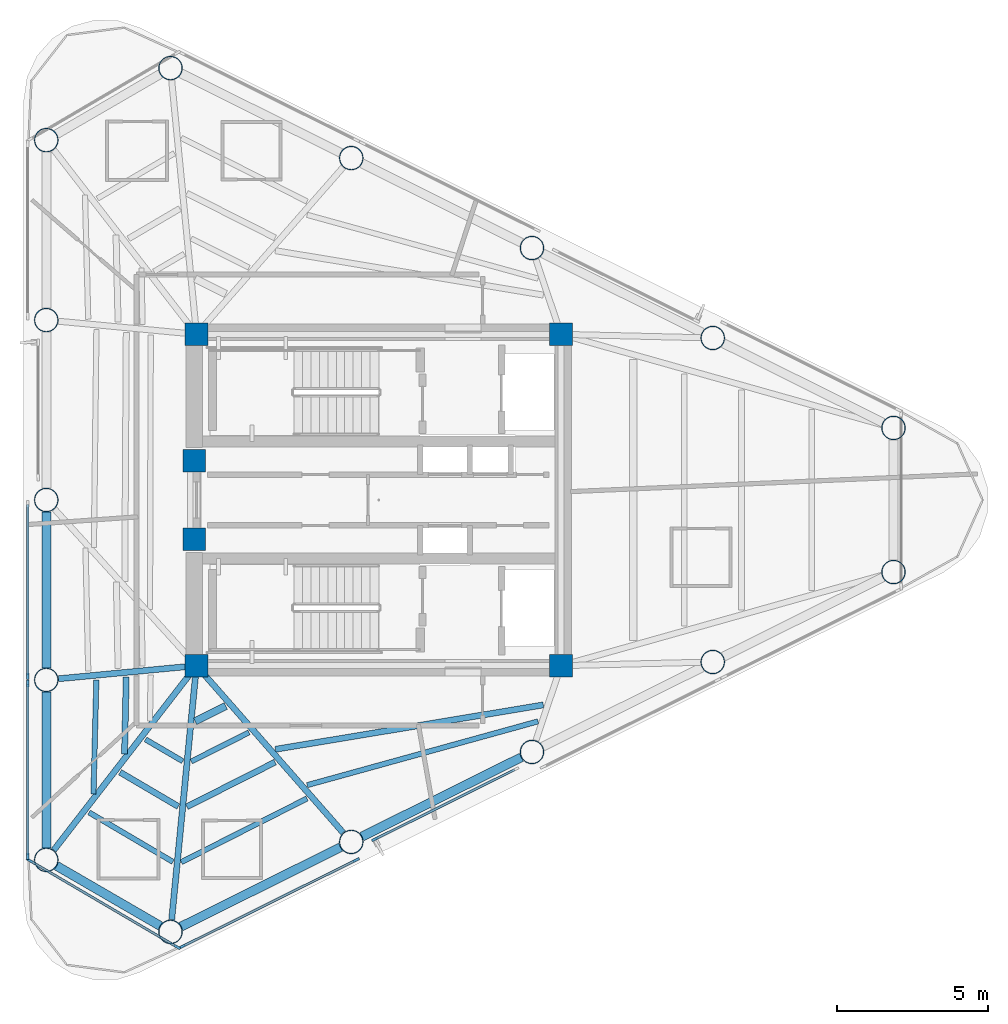
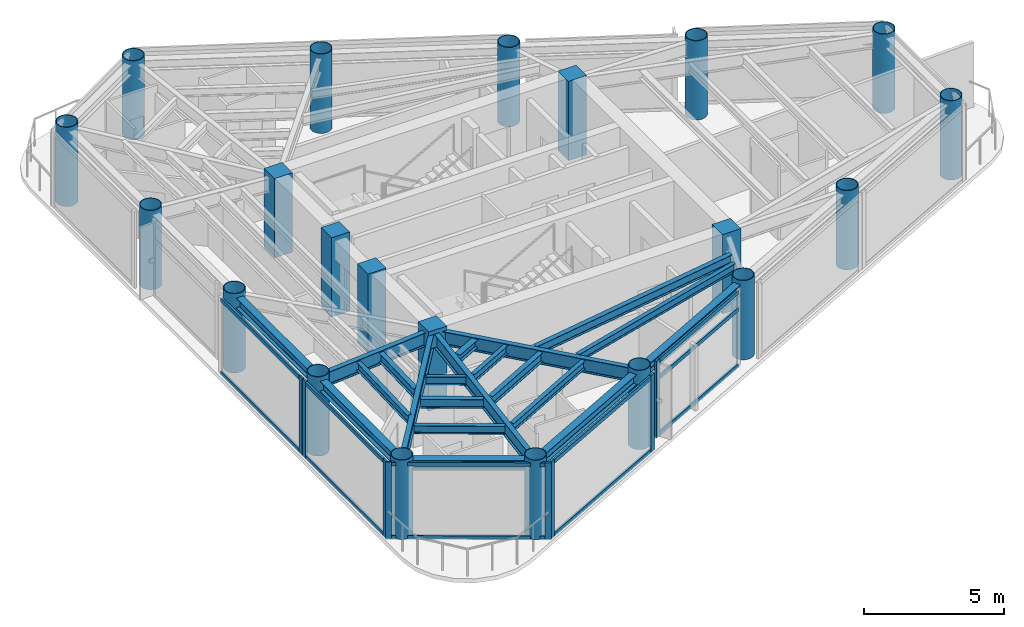
# One storey, part 1 of 10: 21 columns, 20 beams, 19 members, 5 elements without a shape of their own.
"""IFC4 building model written with IfcOpenShell, lengths in metres."""

from ifc_helpers import new_model, si_unit, direction, frame, origin, origin_2d, place, context, subcontext, project, spatial, rectangle, hollow_circle, i_section, extrude, source, transform, mapped, material, layer, layer_set, material_profile, profile_set, type_object, element, aggregate, save


model = new_model("IFC4")

# Units and contexts
model_context = context("Model", 3, precision=1e-05, world=origin(), true_north=direction((0.0, 1.0)))
body_context = subcontext(model_context, "Body", "Model", "MODEL_VIEW")
ifc_project = project(units=[si_unit("LENGTHUNIT", "METRE"), si_unit("AREAUNIT", "SQUARE_METRE"), si_unit("VOLUMEUNIT", "CUBIC_METRE"), si_unit("PLANEANGLEUNIT", "RADIAN"), si_unit("MASSUNIT", "GRAM", prefix="KILO")], contexts=[model_context])

# Site, building, storey
site_placement = place(None, origin())
site = spatial("IfcSite", under=ifc_project, at=site_placement, CompositionType="ELEMENT")
building_placement = place(site_placement, origin())
building = spatial("IfcBuilding", under=site, at=building_placement, Name="Yunling Apex Tower", CompositionType="ELEMENT")
storey_placement = place(building_placement, frame((0.0, 0.0, 303.64990234375)))
storey = spatial("IfcBuildingStorey", under=building, at=storey_placement, Name="L74", CompositionType="ELEMENT", Elevation=303.64990234375)

# Columns
ifc_material_1 = material(Name="Concrete C50", Category="concrete")
ifc_material_profile_1 = material_profile(ifc_material_1, rectangle(XDim=0.75, YDim=0.75, at=origin_2d()))
ifc_profile_set_1 = profile_set([ifc_material_profile_1], Name="Concrete C50")
column_type_1 = type_object("IfcColumnType", Name="PC-SRC-4", PredefinedType="COLUMN", material=ifc_profile_set_1)
shared_shape_1 = source(origin(), body_context, "Body", "SweptSolid", [
    extrude(rectangle(XDim=0.75, YDim=0.75, at=origin_2d()), origin(), (0.0, 0.0, 1.0), 3.4501953125),
])
for number, where, z_axis, x_axis, name in (
    (1, (-6.050048828125, -5.5, 0.0), (0.0, 0.0, 1.0), (1.0, 0.0, 0.0), "L74 Core Spine Column CC-SW"),
    (2, (6.050048828125, -5.5, 0.0), (0.0, 0.0, 1.0), (1.0, 0.0, 0.0), "L74 Core Spine Column CC-SE"),
    (3, (6.050048828125, 5.5, 0.0), (0.0, 0.0, 1.0), (1.0, 0.0, 0.0), "L74 Core Spine Column CC-NE"),
    (4, (-6.050048828125, 5.5, 0.0), (0.0, 0.0, 1.0), (1.0, 0.0, 0.0), "L74 Core Spine Column CC-NW"),
    (5, (-6.125, -1.300048828125, 0.0), (0.0, 0.0, 1.0), (1.0, 0.0, 0.0), "L74 Core West Portal Jamb Column S"),
    (6, (-6.125, 1.300048828125, 0.0), (0.0, 0.0, 1.0), (1.0, 0.0, 0.0), "L74 Core West Portal Jamb Column N"),
):
    element("IfcColumn", number, at=place(storey_placement, frame(where, z_axis=z_axis, x_axis=x_axis)), inside=storey, type_object=column_type_1, Name=name, PredefinedType="COLUMN", context=body_context, shape_type="MappedRepresentation", body=[
        mapped(shared_shape_1, transform((0.0, 0.0, 0.0), scale=1.0)),
    ])
ifc_material_2 = material(Name="Steel Q355B", Category="steel")
ifc_material_profile_2 = material_profile(ifc_material_2, hollow_circle(Radius=0.39990234375, WallThickness=0.028076171875, at=origin_2d()))
ifc_profile_set_2 = profile_set([ifc_material_profile_2], Name="Steel Q355B")
column_type_2 = type_object("IfcColumnType", Name="MC-CFST-7", PredefinedType="COLUMN", material=ifc_profile_set_2)
shared_shape_2 = source(origin(), body_context, "Body", "SweptSolid", [
    extrude(hollow_circle(Radius=0.39990234375, WallThickness=0.028076171875, at=origin_2d()), origin(), (0.0, 0.0, 1.0), 3.4501953125),
])
for number, where, z_axis, x_axis, name in (
    (7, (-6.9140625, -14.336669921875, 0.0), (0.0, 0.0, 1.0), (1.0, 0.0, 0.0), "L74 Perimeter CFST Mega-Column P01"),
    (8, (-0.913818359375, -11.350341796875, 0.0), (0.0, 0.0, 1.0), (1.0, 0.0, 0.0), "L74 Perimeter CFST Mega-Column P02"),
    (9, (5.086181640625, -8.364013671875, 0.0), (0.0, 0.0, 1.0), (1.0, 0.0, 0.0), "L74 Perimeter CFST Mega-Column P03"),
    (10, (11.08642578125, -5.377685546875, 0.0), (0.0, 0.0, 1.0), (1.0, 0.0, 0.0), "L74 Perimeter CFST Mega-Column P04"),
    (11, (17.086669921875, -2.3916015625, 0.0), (0.0, 0.0, 1.0), (1.0, 0.0, 0.0), "L74 Perimeter CFST Mega-Column P05"),
    (12, (17.086669921875, 2.3916015625, 0.0), (0.0, 0.0, 1.0), (1.0, 0.0, 0.0), "L74 Perimeter CFST Mega-Column P06"),
    (13, (11.08642578125, 5.377685546875, 0.0), (0.0, 0.0, 1.0), (1.0, 0.0, 0.0), "L74 Perimeter CFST Mega-Column P07"),
    (14, (5.086181640625, 8.364013671875, 0.0), (0.0, 0.0, 1.0), (1.0, 0.0, 0.0), "L74 Perimeter CFST Mega-Column P08"),
    (15, (-0.913818359375, 11.350341796875, 0.0), (0.0, 0.0, 1.0), (1.0, 0.0, 0.0), "L74 Perimeter CFST Mega-Column P09"),
    (16, (-6.9140625, 14.336669921875, 0.0), (0.0, 0.0, 1.0), (1.0, 0.0, 0.0), "L74 Perimeter CFST Mega-Column P10"),
    (17, (-11.037353515625, 11.9453125, 0.0), (0.0, 0.0, 1.0), (1.0, 0.0, 0.0), "L74 Perimeter CFST Mega-Column P11"),
    (18, (-11.037353515625, 5.97265625, 0.0), (0.0, 0.0, 1.0), (1.0, 0.0, 0.0), "L74 Perimeter CFST Mega-Column P12"),
    (19, (-11.037353515625, 0.0, 0.0), (0.0, 0.0, 1.0), (1.0, 0.0, 0.0), "L74 Perimeter CFST Mega-Column P13"),
    (20, (-11.037353515625, -5.97265625, 0.0), (0.0, 0.0, 1.0), (1.0, 0.0, 0.0), "L74 Perimeter CFST Mega-Column P14"),
    (21, (-11.037353515625, -11.9453125, 0.0), (0.0, 0.0, 1.0), (1.0, 0.0, 0.0), "L74 Perimeter CFST Mega-Column P15"),
):
    element("IfcColumn", number, at=place(storey_placement, frame(where, z_axis=z_axis, x_axis=x_axis)), inside=storey, type_object=column_type_2, Name=name, PredefinedType="COLUMN", context=body_context, shape_type="MappedRepresentation", body=[
        mapped(shared_shape_2, transform((0.0, 0.0, 0.0), scale=1.0)),
    ])

# Beams
ifc_material_profile_3 = material_profile(ifc_material_2, i_section(OverallWidth=0.300048828125, OverallDepth=0.43994140625, WebThickness=0.010986328125, FlangeThickness=0.01806640625, FilletRadius=0.02197265625, at=origin_2d()))
ifc_profile_set_3 = profile_set([ifc_material_profile_3], Name="Steel Q355B")
beam_type_1 = type_object("IfcBeamType", Name="BP-SPN-3", PredefinedType="SPANDREL", material=ifc_profile_set_3)
shared_shape_3 = source(origin(), body_context, "Body", "SweptSolid", [
    extrude(i_section(OverallWidth=0.300048828125, OverallDepth=0.43994140625, WebThickness=0.010986328125, FlangeThickness=0.01806640625, FilletRadius=0.02197265625, at=origin_2d()), origin(), (0.0, 0.0, 1.0), 5.914306640625),
])
for number, where, z_axis, x_axis, name in (
    (22, (-6.561279296875, -14.1611328125, 3.050048828125), (0.895243044542, 0.445578153861, 0.0), (-0.445578153861, 0.895243044542, 0.0), "L74 Perimeter Spandrel Beam 1"),
    (23, (-0.561279296875, -11.1748046875, 3.050048828125), (0.895267705164, 0.445528602999, 0.0), (-0.445528602999, 0.895267705164, 0.0), "L74 Perimeter Spandrel Beam 2"),
):
    element("IfcBeam", number, at=place(storey_placement, frame(where, z_axis=z_axis, x_axis=x_axis)), inside=storey, type_object=beam_type_1, Name=name, PredefinedType="SPANDREL", context=body_context, shape_type="MappedRepresentation", body=[
        mapped(shared_shape_3, transform((0.0, 0.0, 0.0), scale=1.0)),
    ])
shared_shape_4 = source(origin(), body_context, "Body", "SweptSolid", [
    extrude(i_section(OverallWidth=0.300048828125, OverallDepth=0.43994140625, WebThickness=0.010986328125, FlangeThickness=0.01806640625, FilletRadius=0.02197265625, at=origin_2d()), origin(), (0.0, 0.0, 1.0), 3.978515625),
])
beam_1_placement = place(storey_placement, frame((-10.696533203125, -12.142822265625, 3.050048828125), z_axis=(0.86503811344, -0.501706151343, 0.0), x_axis=(0.501706151343, 0.86503811344, 0.0)))
element("IfcBeam", 24, at=beam_1_placement, inside=storey, type_object=beam_type_1, Name="L74 Perimeter Spandrel Beam 15", PredefinedType="SPANDREL", context=body_context, shape_type="MappedRepresentation", body=[
    mapped(shared_shape_4, transform((0.0, 0.0, 0.0), scale=1.0)),
])
shared_shape_5 = source(origin(), body_context, "Body", "SweptSolid", [
    extrude(i_section(OverallWidth=0.300048828125, OverallDepth=0.43994140625, WebThickness=0.010986328125, FlangeThickness=0.01806640625, FilletRadius=0.02197265625, at=origin_2d()), origin(), (0.0, 0.0, 1.0), 5.1845703125),
])
for number, where, z_axis, x_axis, name in (
    (25, (-11.037353515625, -0.39404296875, 3.050048828125), (0.0, -1.0, 0.0), (1.0, 0.0, 0.0), "L74 Perimeter Spandrel Beam 13"),
    (26, (-11.037353515625, -6.36669921875, 3.050048828125), (0.0, -1.0, 0.0), (1.0, 0.0, 0.0), "L74 Perimeter Spandrel Beam 14"),
):
    element("IfcBeam", number, at=place(storey_placement, frame(where, z_axis=z_axis, x_axis=x_axis)), inside=storey, type_object=beam_type_1, Name=name, PredefinedType="SPANDREL", context=body_context, shape_type="MappedRepresentation", body=[
        mapped(shared_shape_5, transform((0.0, 0.0, 0.0), scale=1.0)),
    ])
ifc_material_profile_4 = material_profile(ifc_material_2, i_section(OverallWidth=0.199951171875, OverallDepth=0.60009765625, WebThickness=0.010986328125, FlangeThickness=0.01708984375, FilletRadius=0.02197265625, at=origin_2d()))
ifc_profile_set_4 = profile_set([ifc_material_profile_4], Name="Steel Q355B")
beam_type_2 = type_object("IfcBeamType", Name="BG-PRI-5", PredefinedType="USERDEFINED", material=ifc_profile_set_4)
shared_shape_6 = source(origin(), body_context, "Body", "SweptSolid", [
    extrude(i_section(OverallWidth=0.199951171875, OverallDepth=0.60009765625, WebThickness=0.010986328125, FlangeThickness=0.01708984375, FilletRadius=0.02197265625, at=origin_2d()), origin(), (0.0, 0.0, 1.0), 8.390869140625),
])
beam_2_placement = place(storey_placement, frame((-6.874267578125, -13.9306640625, 2.97021484375), z_axis=(0.097296792844, 0.995255411491, 0.0), x_axis=(-0.995255411491, 0.097296792844, 0.0)))
element("IfcBeam", 27, at=beam_2_placement, inside=storey, type_object=beam_type_2, Name="L74 Radial Primary Girder R01", ObjectType="GIRDER", PredefinedType="USERDEFINED", context=body_context, shape_type="MappedRepresentation", body=[
    mapped(shared_shape_6, transform((0.0, 0.0, 0.0), scale=1.0)),
])
shared_shape_7 = source(origin(), body_context, "Body", "SweptSolid", [
    extrude(i_section(OverallWidth=0.199951171875, OverallDepth=0.60009765625, WebThickness=0.010986328125, FlangeThickness=0.01708984375, FilletRadius=0.02197265625, at=origin_2d()), origin(), (0.0, 0.0, 1.0), 7.297119140625),
])
beam_3_placement = place(storey_placement, frame((-1.18310546875, -11.043701171875, 2.97021484375), z_axis=(-0.659747259747, 0.751487560281, 0.0), x_axis=(-0.751487560281, -0.659747259747, 0.0)))
element("IfcBeam", 28, at=beam_3_placement, inside=storey, type_object=beam_type_2, Name="L74 Radial Primary Girder R02", ObjectType="GIRDER", PredefinedType="USERDEFINED", context=body_context, shape_type="MappedRepresentation", body=[
    mapped(shared_shape_7, transform((0.0, 0.0, 0.0), scale=1.0)),
])
shared_shape_8 = source(origin(), body_context, "Body", "SweptSolid", [
    extrude(i_section(OverallWidth=0.199951171875, OverallDepth=0.60009765625, WebThickness=0.010986328125, FlangeThickness=0.01708984375, FilletRadius=0.02197265625, at=origin_2d()), origin(), (0.0, 0.0, 1.0), 7.661376953125),
])
beam_4_placement = place(storey_placement, frame((-10.78759765625, -11.62255859375, 2.97021484375), z_axis=(0.611959789037, 0.790888877531, 0.0), x_axis=(-0.790888877531, 0.611959789037, 0.0)))
element("IfcBeam", 29, at=beam_4_placement, inside=storey, type_object=beam_type_2, Name="L74 Radial Primary Girder R15", ObjectType="GIRDER", PredefinedType="USERDEFINED", context=body_context, shape_type="MappedRepresentation", body=[
    mapped(shared_shape_8, transform((0.0, 0.0, 0.0), scale=1.0)),
])
shared_shape_9 = source(origin(), body_context, "Body", "SweptSolid", [
    extrude(i_section(OverallWidth=0.199951171875, OverallDepth=0.60009765625, WebThickness=0.010986328125, FlangeThickness=0.01708984375, FilletRadius=0.02197265625, at=origin_2d()), origin(), (0.0, 0.0, 1.0), 4.521728515625),
])
beam_5_placement = place(storey_placement, frame((-10.631103515625, -5.93408203125, 2.97021484375), z_axis=(0.99554122067, 0.094327503661, 0.0), x_axis=(-0.094327503661, 0.99554122067, 0.0)))
element("IfcBeam", 30, at=beam_5_placement, inside=storey, type_object=beam_type_2, Name="L74 Radial Primary Girder R14", ObjectType="GIRDER", PredefinedType="USERDEFINED", context=body_context, shape_type="MappedRepresentation", body=[
    mapped(shared_shape_9, transform((0.0, 0.0, 0.0), scale=1.0)),
])
ifc_material_profile_5 = material_profile(ifc_material_2, i_section(OverallWidth=0.199951171875, OverallDepth=0.39990234375, WebThickness=0.008056640625, FlangeThickness=0.012939453125, FilletRadius=0.01611328125, at=origin_2d()))
ifc_profile_set_5 = profile_set([ifc_material_profile_5], Name="Steel Q355B")
beam_type_3 = type_object("IfcBeamType", Name="BS-SEC-4", PredefinedType="BEAM", material=ifc_profile_set_5)
shared_shape_10 = source(origin(), body_context, "Body", "SweptSolid", [
    extrude(i_section(OverallWidth=0.199951171875, OverallDepth=0.39990234375, WebThickness=0.008056640625, FlangeThickness=0.012939453125, FilletRadius=0.01611328125, at=origin_2d()), origin(), (0.0, 0.0, 1.0), 3.281494140625),
])
beam_6_placement = place(storey_placement, frame((-6.372314453125, -10.18408203125, 3.070068359375), z_axis=(0.892364297468, 0.451315810275, 0.0), x_axis=(-0.451315810275, 0.892364297468, 0.0)))
element("IfcBeam", 31, at=beam_6_placement, inside=storey, type_object=beam_type_3, Name="L74 Composite Floor Beam BS-1", PredefinedType="BEAM", context=body_context, shape_type="MappedRepresentation", body=[
    mapped(shared_shape_10, transform((0.0, 0.0, 0.0), scale=1.0)),
])
ifc_material_profile_6 = material_profile(ifc_material_2, i_section(OverallWidth=0.175048828125, OverallDepth=0.35009765625, WebThickness=0.007080078125, FlangeThickness=0.010986328125, FilletRadius=0.013916015625, at=origin_2d()))
ifc_profile_set_6 = profile_set([ifc_material_profile_6], Name="Steel Q355B")
beam_type_4 = type_object("IfcBeamType", Name="BJ-JST-1", PredefinedType="JOIST", material=ifc_profile_set_6)
shared_shape_11 = source(origin(), body_context, "Body", "SweptSolid", [
    extrude(i_section(OverallWidth=0.175048828125, OverallDepth=0.35009765625, WebThickness=0.007080078125, FlangeThickness=0.010986328125, FilletRadius=0.013916015625, at=origin_2d()), origin(), (0.0, 0.0, 1.0), 4.67138671875),
])
beam_7_placement = place(storey_placement, frame((-6.552001953125, -12.02099609375, 3.09521484375), z_axis=(0.892031280848, 0.45197366515, 0.0), x_axis=(-0.45197366515, 0.892031280848, 0.0)))
element("IfcBeam", 32, at=beam_7_placement, inside=storey, type_object=beam_type_4, Name="L74 Composite Floor Joist BJ1-1", PredefinedType="JOIST", context=body_context, shape_type="MappedRepresentation", body=[
    mapped(shared_shape_11, transform((0.0, 0.0, 0.0), scale=1.0)),
])
shared_shape_12 = source(origin(), body_context, "Body", "SweptSolid", [
    extrude(i_section(OverallWidth=0.175048828125, OverallDepth=0.35009765625, WebThickness=0.007080078125, FlangeThickness=0.010986328125, FilletRadius=0.013916015625, at=origin_2d()), origin(), (0.0, 0.0, 1.0), 2.143798828125),
])
beam_8_placement = place(storey_placement, frame((-6.22509765625, -8.680908203125, 3.09521484375), z_axis=(0.892941835578, 0.45017205408, 0.0), x_axis=(-0.45017205408, 0.892941835578, 0.0)))
element("IfcBeam", 33, at=beam_8_placement, inside=storey, type_object=beam_type_4, Name="L74 Composite Floor Joist BJ3-1", PredefinedType="JOIST", context=body_context, shape_type="MappedRepresentation", body=[
    mapped(shared_shape_12, transform((0.0, 0.0, 0.0), scale=1.0)),
])
ifc_material_profile_7 = material_profile(ifc_material_2, i_section(OverallWidth=0.25, OverallDepth=0.340087890625, WebThickness=0.009033203125, FlangeThickness=0.013916015625, FilletRadius=0.01806640625, at=origin_2d()))
ifc_profile_set_7 = profile_set([ifc_material_profile_7], Name="Steel Q355B")
beam_type_5 = type_object("IfcBeamType", Name="BJ-JST-2", PredefinedType="JOIST", material=ifc_profile_set_7)
shared_shape_13 = source(origin(), body_context, "Body", "SweptSolid", [
    extrude(i_section(OverallWidth=0.25, OverallDepth=0.340087890625, WebThickness=0.009033203125, FlangeThickness=0.013916015625, FilletRadius=0.01806640625, at=origin_2d()), origin(), (0.0, 0.0, 1.0), 1.1328125),
])
beam_9_placement = place(storey_placement, frame((-6.09423828125, -7.34521484375, 3.10009765625), z_axis=(0.894211562533, 0.447644592765, 0.0), x_axis=(-0.447644592765, 0.894211562533, 0.0)))
element("IfcBeam", 34, at=beam_9_placement, inside=storey, type_object=beam_type_5, Name="L74 Composite Floor Joist BJ2-1", PredefinedType="JOIST", context=body_context, shape_type="MappedRepresentation", body=[
    mapped(shared_shape_13, transform((0.0, 0.0, 0.0), scale=1.0)),
])
shared_shape_14 = source(origin(), body_context, "Body", "SweptSolid", [
    extrude(i_section(OverallWidth=0.199951171875, OverallDepth=0.39990234375, WebThickness=0.008056640625, FlangeThickness=0.012939453125, FilletRadius=0.01611328125, at=origin_2d()), origin(), (0.0, 0.0, 1.0), 9.01611328125),
])
beam_10_placement = place(storey_placement, frame((-3.432373046875, -8.27587890625, 3.070068359375), z_axis=(0.986561729833, 0.163388962996, 0.0), x_axis=(-0.163388962996, 0.986561729833, 0.0)))
element("IfcBeam", 35, at=beam_10_placement, inside=storey, type_object=beam_type_3, Name="L74 Composite Floor Beam BS-2", PredefinedType="BEAM", context=body_context, shape_type="MappedRepresentation", body=[
    mapped(shared_shape_14, transform((0.0, 0.0, 0.0), scale=1.0)),
])
shared_shape_15 = source(origin(), body_context, "Body", "SweptSolid", [
    extrude(i_section(OverallWidth=0.175048828125, OverallDepth=0.35009765625, WebThickness=0.007080078125, FlangeThickness=0.010986328125, FilletRadius=0.013916015625, at=origin_2d()), origin(), (0.0, 0.0, 1.0), 7.952392578125),
])
beam_11_placement = place(storey_placement, frame((-2.376708984375, -9.4658203125, 3.09521484375), z_axis=(0.963874198485, 0.266357897377, 0.0), x_axis=(-0.266357897377, 0.963874198485, 0.0)))
element("IfcBeam", 36, at=beam_11_placement, inside=storey, type_object=beam_type_4, Name="L74 Composite Floor Joist BJ1-2", PredefinedType="JOIST", context=body_context, shape_type="MappedRepresentation", body=[
    mapped(shared_shape_15, transform((0.0, 0.0, 0.0), scale=1.0)),
])
shared_shape_16 = source(origin(), body_context, "Body", "SweptSolid", [
    extrude(i_section(OverallWidth=0.199951171875, OverallDepth=0.39990234375, WebThickness=0.008056640625, FlangeThickness=0.012939453125, FilletRadius=0.01611328125, at=origin_2d()), origin(), (0.0, 0.0, 1.0), 2.552734375),
])
beam_12_placement = place(storey_placement, frame((-8.3837890625, -5.880859375, 3.070068359375), z_axis=(-0.021902331041, -0.999760115175, 0.0), x_axis=(0.999760115175, -0.021902331041, 0.0)))
element("IfcBeam", 37, at=beam_12_placement, inside=storey, type_object=beam_type_3, Name="L74 Composite Floor Beam BS-14", PredefinedType="BEAM", context=body_context, shape_type="MappedRepresentation", body=[
    mapped(shared_shape_16, transform((0.0, 0.0, 0.0), scale=1.0)),
])
shared_shape_17 = source(origin(), body_context, "Body", "SweptSolid", [
    extrude(i_section(OverallWidth=0.175048828125, OverallDepth=0.35009765625, WebThickness=0.007080078125, FlangeThickness=0.010986328125, FilletRadius=0.013916015625, at=origin_2d()), origin(), (0.0, 0.0, 1.0), 3.792724609375),
])
beam_13_placement = place(storey_placement, frame((-9.374755859375, -5.974609375, 3.09521484375), z_axis=(-0.02529776075, -0.999679960438, 0.0), x_axis=(0.999679960438, -0.02529776075, 0.0)))
element("IfcBeam", 38, at=beam_13_placement, inside=storey, type_object=beam_type_4, Name="L74 Composite Floor Joist BJ1-14", PredefinedType="JOIST", context=body_context, shape_type="MappedRepresentation", body=[
    mapped(shared_shape_17, transform((0.0, 0.0, 0.0), scale=1.0)),
])
shared_shape_18 = source(origin(), body_context, "Body", "SweptSolid", [
    extrude(i_section(OverallWidth=0.199951171875, OverallDepth=0.39990234375, WebThickness=0.008056640625, FlangeThickness=0.012939453125, FilletRadius=0.01611328125, at=origin_2d()), origin(), (0.0, 0.0, 1.0), 2.243408203125),
])
beam_14_placement = place(storey_placement, frame((-8.586669921875, -9.03759765625, 3.070068359375), z_axis=(0.861925822056, -0.507034394566, 0.0), x_axis=(0.507034394566, 0.861925822056, 0.0)))
element("IfcBeam", 39, at=beam_14_placement, inside=storey, type_object=beam_type_3, Name="L74 Composite Floor Beam BS-15", PredefinedType="BEAM", context=body_context, shape_type="MappedRepresentation", body=[
    mapped(shared_shape_18, transform((0.0, 0.0, 0.0), scale=1.0)),
])
shared_shape_19 = source(origin(), body_context, "Body", "SweptSolid", [
    extrude(i_section(OverallWidth=0.175048828125, OverallDepth=0.35009765625, WebThickness=0.007080078125, FlangeThickness=0.010986328125, FilletRadius=0.013916015625, at=origin_2d()), origin(), (0.0, 0.0, 1.0), 3.233642578125),
])
beam_15_placement = place(storey_placement, frame((-9.618408203125, -10.37060546875, 3.09521484375), z_axis=(0.861549665957, -0.507673293655, 0.0), x_axis=(0.507673293655, 0.861549665957, 0.0)))
element("IfcBeam", 40, at=beam_15_placement, inside=storey, type_object=beam_type_4, Name="L74 Composite Floor Joist BJ1-15", PredefinedType="JOIST", context=body_context, shape_type="MappedRepresentation", body=[
    mapped(shared_shape_19, transform((0.0, 0.0, 0.0), scale=1.0)),
])
shared_shape_20 = source(origin(), body_context, "Body", "SweptSolid", [
    extrude(i_section(OverallWidth=0.175048828125, OverallDepth=0.35009765625, WebThickness=0.007080078125, FlangeThickness=0.010986328125, FilletRadius=0.013916015625, at=origin_2d()), origin(), (0.0, 0.0, 1.0), 1.43359375),
])
beam_16_placement = place(storey_placement, frame((-7.74267578125, -7.94677734375, 3.09521484375), z_axis=(0.862559589494, -0.50595548675, 0.0), x_axis=(0.50595548675, 0.862559589494, 0.0)))
element("IfcBeam", 41, at=beam_16_placement, inside=storey, type_object=beam_type_4, Name="L74 Composite Floor Joist BJ3-15", PredefinedType="JOIST", context=body_context, shape_type="MappedRepresentation", body=[
    mapped(shared_shape_20, transform((0.0, 0.0, 0.0), scale=1.0)),
])

# Curtain wall, members
ifc_material_3 = material(Name="Bronze anodised aluminium", Category="aluminium")
ifc_layer = layer(ifc_material_3, 0.219970703125)
ifc_layer_set = layer_set([ifc_layer], Name="Bronze anodised aluminium")
curtain_wall_type = type_object("IfcCurtainWallType", Name="CW-SYS-4", PredefinedType="NOTDEFINED", material=ifc_layer_set)
curtain_wall_1_placement = place(storey_placement, origin())
curtain_wall_1 = element("IfcCurtainWall", 42, at=curtain_wall_1_placement, inside=storey, type_object=curtain_wall_type, Name="CW-L74-F1-B1", PredefinedType="NOTDEFINED")
ifc_material_profile_8 = material_profile(ifc_material_3, rectangle(XDim=0.080078125, YDim=0.219970703125, at=origin_2d()))
ifc_profile_set_8 = profile_set([ifc_material_profile_8], Name="Bronze anodised aluminium")
member_type_1 = type_object("IfcMemberType", Name="CW-MUL-4", PredefinedType="MULLION", material=ifc_profile_set_8)
shared_shape_21 = source(origin(), body_context, "Body", "SweptSolid", [
    extrude(rectangle(XDim=0.080078125, YDim=0.219970703125, at=origin_2d()), origin(), (0.0, 0.0, 1.0), 3.369873046875),
])
member_1_placement = place(storey_placement, frame((-6.534912109375, -14.829345703125, -0.0498046875), z_axis=(0.0, 0.0, 1.0), x_axis=(-0.445568135078, 0.895248030996, 0.0)))
member_1 = element("IfcMember", 43, at=member_1_placement, type_object=member_type_1, Name="CW-SYS-4 mullion 1", PredefinedType="MULLION", context=body_context, shape_type="MappedRepresentation", body=[
    mapped(shared_shape_21, transform((0.0, 0.0, 0.0), scale=1.0)),
])
member_2_placement = place(storey_placement, frame((-0.74951171875, -11.949951171875, -0.0498046875), z_axis=(0.0, 0.0, 1.0), x_axis=(-0.445568135078, 0.895248030996, 0.0)))
member_2 = element("IfcMember", 44, at=member_2_placement, type_object=member_type_1, Name="CW-SYS-4 mullion 2", PredefinedType="MULLION", context=body_context, shape_type="MappedRepresentation", body=[
    mapped(shared_shape_21, transform((0.0, 0.0, 0.0), scale=1.0)),
])

# Curtain wall, member
curtain_wall_2_placement = place(storey_placement, origin())
curtain_wall_2 = element("IfcCurtainWall", 45, at=curtain_wall_2_placement, inside=storey, type_object=curtain_wall_type, Name="CW-L74-F1-B2", PredefinedType="NOTDEFINED")
member_3_placement = place(storey_placement, frame((-0.131103515625, -11.262451171875, -0.0498046875), z_axis=(0.0, 0.0, 1.0), x_axis=(-0.445560721723, 0.895251720611, 0.0)))
member_3 = element("IfcMember", 46, at=member_3_placement, type_object=member_type_1, Name="CW-SYS-4 mullion 1", PredefinedType="MULLION", context=body_context, shape_type="MappedRepresentation", body=[
    mapped(shared_shape_21, transform((0.0, 0.0, 0.0), scale=1.0)),
])

curtain_wall_3_placement = place(storey_placement, origin())
curtain_wall_3 = element("IfcCurtainWall", 47, at=curtain_wall_3_placement, inside=storey, type_object=curtain_wall_type, Name="CW-L74-F3-B3", PredefinedType="NOTDEFINED")
member_4_placement = place(storey_placement, frame((-11.647216796875, -5.8525390625, -0.0498046875), z_axis=(0.0, 0.0, 1.0), x_axis=(1.0, 0.0, 0.0)))
member_4 = element("IfcMember", 48, at=member_4_placement, type_object=member_type_1, Name="CW-SYS-4 mullion 2", PredefinedType="MULLION", context=body_context, shape_type="MappedRepresentation", body=[
    mapped(shared_shape_21, transform((0.0, 0.0, 0.0), scale=1.0)),
])

# Curtain wall, members
curtain_wall_4_placement = place(storey_placement, origin())
curtain_wall_4 = element("IfcCurtainWall", 49, at=curtain_wall_4_placement, inside=storey, type_object=curtain_wall_type, Name="CW-L74-F3-B4", PredefinedType="NOTDEFINED")
member_5_placement = place(storey_placement, frame((-11.647216796875, -6.092529296875, -0.0498046875), z_axis=(0.0, 0.0, 1.0), x_axis=(1.0, 0.0, 0.0)))
member_5 = element("IfcMember", 50, at=member_5_placement, type_object=member_type_1, Name="CW-SYS-4 mullion 1", PredefinedType="MULLION", context=body_context, shape_type="MappedRepresentation", body=[
    mapped(shared_shape_21, transform((0.0, 0.0, 0.0), scale=1.0)),
])
member_6_placement = place(storey_placement, frame((-11.647216796875, -11.8251953125, -0.0498046875), z_axis=(0.0, 0.0, 1.0), x_axis=(1.0, 0.0, 0.0)))
member_6 = element("IfcMember", 51, at=member_6_placement, type_object=member_type_1, Name="CW-SYS-4 mullion 2", PredefinedType="MULLION", context=body_context, shape_type="MappedRepresentation", body=[
    mapped(shared_shape_21, transform((0.0, 0.0, 0.0), scale=1.0)),
])

curtain_wall_5_placement = place(storey_placement, origin())
curtain_wall_5 = element("IfcCurtainWall", 52, at=curtain_wall_5_placement, inside=storey, type_object=curtain_wall_type, Name="CW-L74-CRN3", PredefinedType="NOTDEFINED")
member_7_placement = place(storey_placement, frame((-11.5927734375, -11.96533203125, -0.0498046875), z_axis=(0.0, 0.0, 1.0), x_axis=(0.506069970256, 0.862492426173, 0.0)))
member_7 = element("IfcMember", 53, at=member_7_placement, type_object=member_type_1, Name="CW-SYS-4 mullion 1", PredefinedType="MULLION", context=body_context, shape_type="MappedRepresentation", body=[
    mapped(shared_shape_21, transform((0.0, 0.0, 0.0), scale=1.0)),
])
member_8_placement = place(storey_placement, frame((-6.685546875, -14.8447265625, -0.0498046875), z_axis=(0.0, 0.0, 1.0), x_axis=(0.506069970256, 0.862492426173, 0.0)))
member_8 = element("IfcMember", 54, at=member_8_placement, type_object=member_type_1, Name="CW-SYS-4 mullion 2", PredefinedType="MULLION", context=body_context, shape_type="MappedRepresentation", body=[
    mapped(shared_shape_21, transform((0.0, 0.0, 0.0), scale=1.0)),
])

# Member
ifc_material_profile_9 = material_profile(ifc_material_3, rectangle(XDim=0.080078125, YDim=0.169921875, at=origin_2d()))
ifc_profile_set_9 = profile_set([ifc_material_profile_9], Name="Bronze anodised aluminium")
member_type_2 = type_object("IfcMemberType", Name="CW-TRN-4", PredefinedType="USERDEFINED", material=ifc_profile_set_9)
shared_shape_22 = source(origin(), body_context, "Body", "SweptSolid", [
    extrude(rectangle(XDim=0.080078125, YDim=0.169921875, at=origin_2d()), origin(), (0.0, 0.0, 1.0), 6.39013671875),
])
member_9_placement = place(storey_placement, frame((-6.50244140625, -14.813232421875, 0.0400390625), z_axis=(0.89525092504, 0.445562320238, 0.0), x_axis=(-0.445562320238, 0.89525092504, 0.0)))
member_9 = element("IfcMember", 55, at=member_9_placement, type_object=member_type_2, Name="CW-SYS-4 transom 1.1", ObjectType="TRANSOM", PredefinedType="USERDEFINED", context=body_context, shape_type="MappedRepresentation", body=[
    mapped(shared_shape_22, transform((0.0, 0.0, 0.0), scale=1.0)),
])

member_10_placement = place(storey_placement, frame((-6.50244140625, -14.813232421875, 3.22998046875), z_axis=(0.89525092504, 0.445562320238, 0.0), x_axis=(-0.445562320238, 0.89525092504, 0.0)))
member_10 = element("IfcMember", 56, at=member_10_placement, type_object=member_type_2, Name="CW-SYS-4 transom 1.2", ObjectType="TRANSOM", PredefinedType="USERDEFINED", context=body_context, shape_type="MappedRepresentation", body=[
    mapped(shared_shape_22, transform((0.0, 0.0, 0.0), scale=1.0)),
])

aggregate(curtain_wall_1, [member_1, member_2, member_9, member_10])

shared_shape_23 = source(origin(), body_context, "Body", "SweptSolid", [
    extrude(rectangle(XDim=0.080078125, YDim=0.169921875, at=origin_2d()), origin(), (0.0, 0.0, 1.0), 5.150390625),
])
member_11_placement = place(storey_placement, frame((-0.098876953125, -11.246337890625, 0.0400390625), z_axis=(0.895259933779, 0.445544218871, 0.0), x_axis=(-0.445544218871, 0.895259933779, 0.0)))
member_11 = element("IfcMember", 57, at=member_11_placement, type_object=member_type_2, Name="CW-SYS-4 transom 1.1", ObjectType="TRANSOM", PredefinedType="USERDEFINED", context=body_context, shape_type="MappedRepresentation", body=[
    mapped(shared_shape_23, transform((0.0, 0.0, 0.0), scale=1.0)),
])

member_12_placement = place(storey_placement, frame((-0.098876953125, -11.246337890625, 2.4853515625), z_axis=(0.895259933779, 0.445544218871, 0.0), x_axis=(-0.445544218871, 0.895259933779, 0.0)))
member_12 = element("IfcMember", 58, at=member_12_placement, type_object=member_type_2, Name="CW-SYS-4 transom 1.2", ObjectType="TRANSOM", PredefinedType="USERDEFINED", context=body_context, shape_type="MappedRepresentation", body=[
    mapped(shared_shape_23, transform((0.0, 0.0, 0.0), scale=1.0)),
])

member_13_placement = place(storey_placement, frame((-0.098876953125, -11.246337890625, 3.22998046875), z_axis=(0.895259933779, 0.445544218871, 0.0), x_axis=(-0.445544218871, 0.895259933779, 0.0)))
member_13 = element("IfcMember", 59, at=member_13_placement, type_object=member_type_2, Name="CW-SYS-4 transom 1.3", ObjectType="TRANSOM", PredefinedType="USERDEFINED", context=body_context, shape_type="MappedRepresentation", body=[
    mapped(shared_shape_23, transform((0.0, 0.0, 0.0), scale=1.0)),
])

aggregate(curtain_wall_2, [member_3, member_11, member_12, member_13])

shared_shape_24 = source(origin(), body_context, "Body", "SweptSolid", [
    extrude(rectangle(XDim=0.080078125, YDim=0.169921875, at=origin_2d()), origin(), (0.0, 0.0, 1.0), 5.61767578125),
])
member_14_placement = place(storey_placement, frame((-11.561767578125, -11.983642578125, 0.0400390625), z_axis=(0.862486715055, -0.506079703558, 0.0), x_axis=(0.506079703558, 0.862486715055, 0.0)))
member_14 = element("IfcMember", 60, at=member_14_placement, type_object=member_type_2, Name="CW-SYS-4 transom 1.1", ObjectType="TRANSOM", PredefinedType="USERDEFINED", context=body_context, shape_type="MappedRepresentation", body=[
    mapped(shared_shape_24, transform((0.0, 0.0, 0.0), scale=1.0)),
])

member_15_placement = place(storey_placement, frame((-11.561767578125, -11.983642578125, 3.22998046875), z_axis=(0.862486715055, -0.506079703558, 0.0), x_axis=(0.506079703558, 0.862486715055, 0.0)))
member_15 = element("IfcMember", 61, at=member_15_placement, type_object=member_type_2, Name="CW-SYS-4 transom 1.2", ObjectType="TRANSOM", PredefinedType="USERDEFINED", context=body_context, shape_type="MappedRepresentation", body=[
    mapped(shared_shape_24, transform((0.0, 0.0, 0.0), scale=1.0)),
])

aggregate(curtain_wall_5, [member_7, member_8, member_14, member_15])

shared_shape_25 = source(origin(), body_context, "Body", "SweptSolid", [
    extrude(rectangle(XDim=0.080078125, YDim=0.169921875, at=origin_2d()), origin(), (0.0, 0.0, 1.0), 5.66064453125),
])
member_16_placement = place(storey_placement, frame((-11.647216796875, -0.156005859375, 0.0400390625), z_axis=(0.0, -1.0, 0.0), x_axis=(1.0, 0.0, 0.0)))
member_16 = element("IfcMember", 62, at=member_16_placement, type_object=member_type_2, Name="CW-SYS-4 transom 1.1", ObjectType="TRANSOM", PredefinedType="USERDEFINED", context=body_context, shape_type="MappedRepresentation", body=[
    mapped(shared_shape_25, transform((0.0, 0.0, 0.0), scale=1.0)),
])

member_17_placement = place(storey_placement, frame((-11.647216796875, -0.156005859375, 3.22998046875), z_axis=(0.0, -1.0, 0.0), x_axis=(1.0, 0.0, 0.0)))
member_17 = element("IfcMember", 63, at=member_17_placement, type_object=member_type_2, Name="CW-SYS-4 transom 1.2", ObjectType="TRANSOM", PredefinedType="USERDEFINED", context=body_context, shape_type="MappedRepresentation", body=[
    mapped(shared_shape_25, transform((0.0, 0.0, 0.0), scale=1.0)),
])

aggregate(curtain_wall_3, [member_4, member_16, member_17])

member_18_placement = place(storey_placement, frame((-11.647216796875, -6.128662109375, 0.0400390625), z_axis=(0.0, -1.0, 0.0), x_axis=(1.0, 0.0, 0.0)))
member_18 = element("IfcMember", 64, at=member_18_placement, type_object=member_type_2, Name="CW-SYS-4 transom 1.1", ObjectType="TRANSOM", PredefinedType="USERDEFINED", context=body_context, shape_type="MappedRepresentation", body=[
    mapped(shared_shape_25, transform((0.0, 0.0, 0.0), scale=1.0)),
])

member_19_placement = place(storey_placement, frame((-11.647216796875, -6.128662109375, 3.22998046875), z_axis=(0.0, -1.0, 0.0), x_axis=(1.0, 0.0, 0.0)))
member_19 = element("IfcMember", 65, at=member_19_placement, type_object=member_type_2, Name="CW-SYS-4 transom 1.2", ObjectType="TRANSOM", PredefinedType="USERDEFINED", context=body_context, shape_type="MappedRepresentation", body=[
    mapped(shared_shape_25, transform((0.0, 0.0, 0.0), scale=1.0)),
])

aggregate(curtain_wall_4, [member_5, member_6, member_18, member_19])

save(model, "model.ifc")
